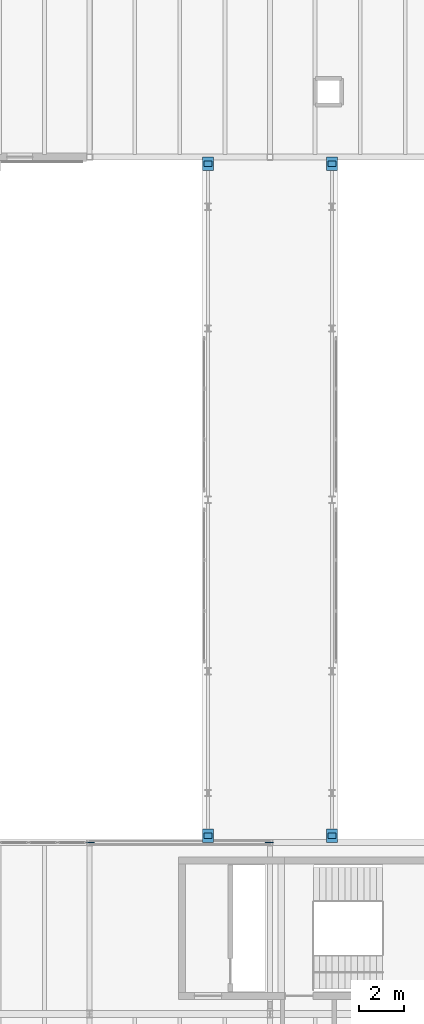
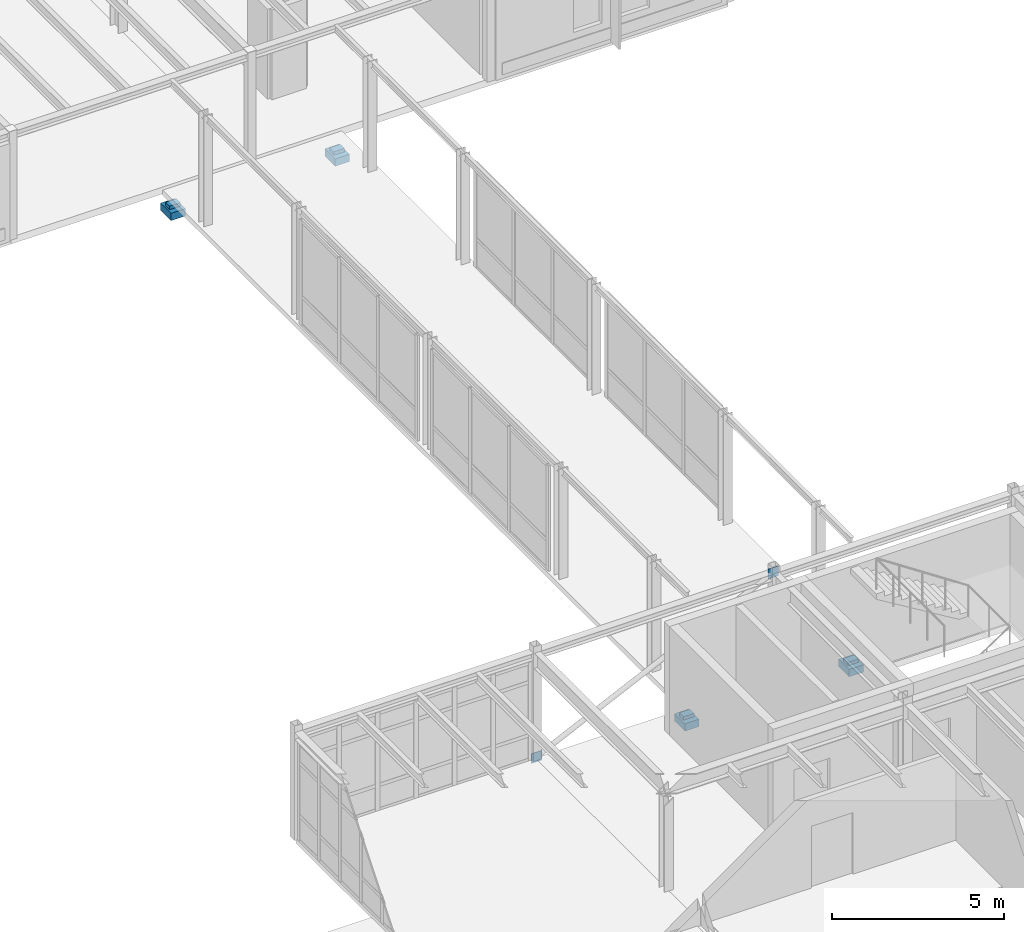
# One storey, part 176 of 189: 10 discrete accessories.
"""IFC4 building model written with IfcOpenShell, lengths in metres."""

from ifc_helpers import new_model, si_unit, direction, frame, origin, origin_2d, place, context, subcontext, project, spatial, rectangle, extrude, material, type_object, element, save


model = new_model("IFC4")

# Units and contexts
model_context = context("Model", 3, precision=1e-05, world=origin(), true_north=direction((0.0, 1.0)))
body_context = subcontext(model_context, "Body", "Model", "MODEL_VIEW")
ifc_project = project(units=[si_unit("LENGTHUNIT", "METRE"), si_unit("AREAUNIT", "SQUARE_METRE"), si_unit("VOLUMEUNIT", "CUBIC_METRE"), si_unit("PLANEANGLEUNIT", "RADIAN"), si_unit("MASSUNIT", "GRAM", prefix="KILO")], contexts=[model_context])

# Site, building, storey
site_placement = place(None, origin())
site = spatial("IfcSite", under=ifc_project, at=site_placement, CompositionType="ELEMENT")
building_placement = place(site_placement, origin())
building = spatial("IfcBuilding", under=site, at=building_placement, Name="Montecoro Central Library", CompositionType="ELEMENT")
storey_placement = place(building_placement, frame((0.0, 0.0, 9.179931640625)))
storey = spatial("IfcBuildingStorey", under=building, at=storey_placement, Name="L02", CompositionType="ELEMENT", Elevation=9.179931640625)

# Discrete accessories
ifc_material_1 = material(Name="Steel S355 and PTFE elastomer", Category="steel")
discrete_accessory_type_1 = type_object("IfcDiscreteAccessoryType", Name="BRG-SLIDE-01", PredefinedType="USERDEFINED", material=ifc_material_1)
for number, where, z_axis, x_axis, name in (
    (1, (154.25, 43.300048828125, -0.544921875), (0.0, 0.0, 1.0), (1.0, 0.0, 0.0), "BR-E-L02-BRG-WA"),
    (2, (159.75, 43.300048828125, -0.544921875), (0.0, 0.0, 1.0), (1.0, 0.0, 0.0), "BR-E-L02-BRG-EA"),
):
    element("IfcDiscreteAccessory", number, at=place(storey_placement, frame(where, z_axis=z_axis, x_axis=x_axis)), inside=storey, type_object=discrete_accessory_type_1, Name=name, ObjectType="GUIDED SLIDING BEARING", PredefinedType="USERDEFINED", context=body_context, shape_type="SweptSolid", body=[
        extrude(rectangle(XDim=0.360107421875, YDim=0.239990234375, at=origin_2d()), origin(), (0.0, 0.0, 1.0), 0.1201171875),
    ])
discrete_accessory_type_2 = type_object("IfcDiscreteAccessoryType", Name="BRG-SLIDE-02", PredefinedType="USERDEFINED", material=ifc_material_1)
for number, where, z_axis, x_axis, name in (
    (3, (154.25, 73.10009765625, -0.544921875), (0.0, 0.0, 1.0), (1.0, 0.0, 0.0), "BR-E-L02-BRG-WB"),
    (4, (159.75, 73.10009765625, -0.544921875), (0.0, 0.0, 1.0), (1.0, 0.0, 0.0), "BR-E-L02-BRG-EB"),
):
    element("IfcDiscreteAccessory", number, at=place(storey_placement, frame(where, z_axis=z_axis, x_axis=x_axis)), inside=storey, type_object=discrete_accessory_type_2, Name=name, ObjectType="FREE SLIDING BEARING", PredefinedType="USERDEFINED", context=body_context, shape_type="SweptSolid", body=[
        extrude(rectangle(XDim=0.360107421875, YDim=0.239990234375, at=origin_2d()), origin(), (0.0, 0.0, 1.0), 0.1201171875),
    ])
ifc_material_2 = material(Name="Steel S355", Category="steel")
discrete_accessory_type_3 = type_object("IfcDiscreteAccessoryType", Name="CORBEL-SEAT-600", PredefinedType="BRACKET", material=ifc_material_2)
for number, where, z_axis, x_axis, name in (
    (5, (154.25, 43.300048828125, -0.80517578125), (0.0, 0.0, 1.0), (1.0, 0.0, 0.0), "BR-E-L02-SEAT-WA"),
    (6, (154.25, 73.10009765625, -0.80517578125), (0.0, 0.0, 1.0), (1.0, 0.0, 0.0), "BR-E-L02-SEAT-WB"),
    (7, (159.75, 43.300048828125, -0.80517578125), (0.0, 0.0, 1.0), (1.0, 0.0, 0.0), "BR-E-L02-SEAT-EA"),
    (8, (159.75, 73.10009765625, -0.80517578125), (0.0, 0.0, 1.0), (1.0, 0.0, 0.0), "BR-E-L02-SEAT-EB"),
):
    element("IfcDiscreteAccessory", number, at=place(storey_placement, frame(where, z_axis=z_axis, x_axis=x_axis)), inside=storey, type_object=discrete_accessory_type_3, Name=name, PredefinedType="BRACKET", context=body_context, shape_type="SweptSolid", body=[
        extrude(rectangle(XDim=0.47998046875, YDim=0.60009765625, at=origin_2d()), origin(), (0.0, 0.0, 1.0), 0.260009765625),
    ])
discrete_accessory_type_4 = type_object("IfcDiscreteAccessoryType", Name="GUSSET-PLT-01", PredefinedType="BRACKET", material=ifc_material_2)
for number, where, z_axis, x_axis, name in (
    (9, (149.035888671875, 43.0, -0.14306640625), (0.0, 0.0, 1.0), (1.0, 0.0, 0.0), "V6-L02-BRN1-GPA"),
    (10, (156.964111328125, 43.0, 3.6181640625), (0.0, 0.0, 1.0), (1.0, 0.0, 0.0), "V6-L02-BRN1-GPB"),
):
    element("IfcDiscreteAccessory", number, at=place(storey_placement, frame(where, z_axis=z_axis, x_axis=x_axis)), inside=storey, type_object=discrete_accessory_type_4, Name=name, PredefinedType="BRACKET", context=body_context, shape_type="SweptSolid", body=[
        extrude(rectangle(XDim=0.340087890625, YDim=0.02392578125, at=origin_2d()), origin(), (0.0, 0.0, 1.0), 0.340087890625),
    ])

save(model, "model.ifc")
